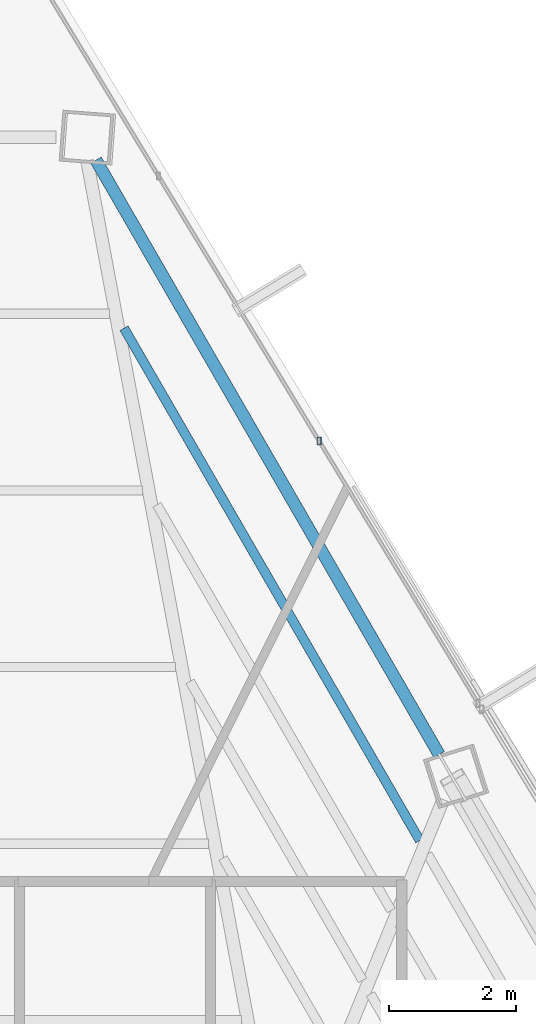
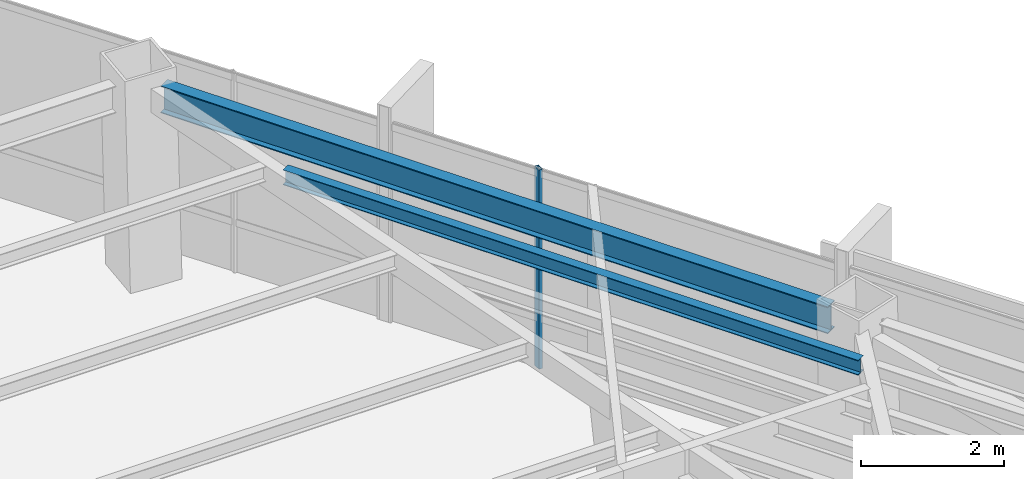
# One storey, part 37 of 47: 2 beams, 1 member, 1 element without a shape of its own.
"""IFC4 building model written with IfcOpenShell, lengths in metres."""

from ifc_helpers import new_model, si_unit, direction, frame, origin, origin_2d, place, context, subcontext, project, spatial, hollow_rectangle, i_section, extrude, source, transform, mapped, material, material_profile, profile_set, type_object, type_shapes, element, aggregate, save


model = new_model("IFC4")

# Units and contexts
model_context = context("Model", 3, precision=1e-05, world=origin(), true_north=direction((0.0, 1.0)))
body_context = subcontext(model_context, "Body", "Model", "MODEL_VIEW")
ifc_project = project(units=[si_unit("LENGTHUNIT", "METRE"), si_unit("AREAUNIT", "SQUARE_METRE"), si_unit("VOLUMEUNIT", "CUBIC_METRE"), si_unit("PLANEANGLEUNIT", "RADIAN"), si_unit("MASSUNIT", "GRAM", prefix="KILO")], contexts=[model_context])

# Site, building, storey
site_placement = place(None, origin())
site = spatial("IfcSite", under=ifc_project, at=site_placement, CompositionType="ELEMENT")
building_placement = place(site_placement, origin())
building = spatial("IfcBuilding", under=site, at=building_placement, Name="Caelisora Broadcast Tower", CompositionType="ELEMENT")
storey_placement = place(building_placement, frame((0.0, 0.0, 229.85009765625)))
storey = spatial("IfcBuildingStorey", under=building, at=storey_placement, Name="L60", CompositionType="ELEMENT", Elevation=229.85009765625)

# Beams
ifc_material_1 = material(Name="Steel Grade 350 (AS/NZS 3679.1)", Category="steel")
ifc_material_profile_1 = material_profile(ifc_material_1, i_section(OverallWidth=0.19091796875, OverallDepth=0.46044921875, WebThickness=0.010009765625, FlangeThickness=0.01611328125, at=origin_2d()), Name="Steel Grade 350 (AS/NZS 3679.1)")
ifc_profile_set_1 = profile_set([ifc_material_profile_1], Name="Steel Grade 350 (AS/NZS 3679.1)")
beam_type_1 = type_object("IfcBeamType", Name="PG06", PredefinedType="BEAM", material=ifc_profile_set_1)
shared_shape_1 = source(origin(), body_context, "Body", "SweptSolid", [
    extrude(i_section(OverallWidth=0.19091796875, OverallDepth=0.46044921875, WebThickness=0.010009765625, FlangeThickness=0.01611328125, at=origin_2d()), origin(), (0.0, 0.0, 1.0), 10.771728515625),
])
type_shapes(beam_type_1, [shared_shape_1])
beam_1_placement = place(storey_placement, frame((47.98681640625, 36.945556640625, 3.169677734375), z_axis=(-0.499990586292, 0.866030838723, 0.0), x_axis=(-0.866030838723, -0.499990586292, 0.0)))
element("IfcBeam", 1, at=beam_1_placement, inside=storey, type_object=beam_type_1, Name="L60 beam PG06", PredefinedType="BEAM", context=body_context, shape_type="MappedRepresentation", body=[
    mapped(shared_shape_1, transform((0.0, 0.0, 0.0), scale=1.0)),
])
ifc_material_profile_2 = material_profile(ifc_material_1, i_section(OverallWidth=0.14599609375, OverallDepth=0.256103515625, WebThickness=0.00634765625, FlangeThickness=0.010986328125, at=origin_2d()), Name="Steel Grade 350 (AS/NZS 3679.1)")
ifc_profile_set_2 = profile_set([ifc_material_profile_2], Name="Steel Grade 350 (AS/NZS 3679.1)")
beam_type_2 = type_object("IfcBeamType", Name="SB04", PredefinedType="JOIST", material=ifc_profile_set_2)
shared_shape_2 = source(origin(), body_context, "Body", "SweptSolid", [
    extrude(i_section(OverallWidth=0.14599609375, OverallDepth=0.256103515625, WebThickness=0.00634765625, FlangeThickness=0.010986328125, at=origin_2d()), origin(), (0.0, 0.0, 1.0), 9.285888671875),
])
type_shapes(beam_type_2, [shared_shape_2])
beam_2_placement = place(storey_placement, frame((47.683837890625, 35.5947265625, 3.271728515625), z_axis=(-0.499981900942, 0.866035853028, 0.0), x_axis=(-0.866035853028, -0.499981900942, 0.0)))
element("IfcBeam", 2, at=beam_2_placement, inside=storey, type_object=beam_type_2, Name="L60 beam SB04", PredefinedType="JOIST", context=body_context, shape_type="MappedRepresentation", body=[
    mapped(shared_shape_2, transform((0.0, 0.0, 0.0), scale=1.0)),
])

# Curtain wall, member
ifc_material_2 = material(Name="Unitised Aluminium and Low-E Glass Curtain Wall", Category="glass")
curtain_wall_type = type_object("IfcCurtainWallType", Name="CW-Z5", PredefinedType="NOTDEFINED", material=ifc_material_2)
curtain_wall_placement = place(storey_placement, origin())
curtain_wall = element("IfcCurtainWall", 3, at=curtain_wall_placement, inside=storey, type_object=curtain_wall_type, Name="L60 curtain wall CW-Z5", PredefinedType="NOTDEFINED")
ifc_material_3 = material(Name="Aluminium 6063-T6 Anodised Terracotta Bronze", Category="aluminium")
ifc_material_profile_3 = material_profile(ifc_material_3, hollow_rectangle(XDim=0.06005859375, YDim=0.1201171875, WallThickness=0.0029296875, at=origin_2d()), Name="Aluminium 6063-T6 Anodised Terracotta Bronze")
ifc_profile_set_3 = profile_set([ifc_material_profile_3], Name="Aluminium 6063-T6 Anodised Terracotta Bronze")
member_type = type_object("IfcMemberType", Name="CWM-04", PredefinedType="MULLION", material=ifc_profile_set_3)
shared_shape_3 = source(origin(), body_context, "Body", "SweptSolid", [
    extrude(hollow_rectangle(XDim=0.06005859375, YDim=0.1201171875, WallThickness=0.0029296875, at=origin_2d()), origin(), (0.0, 0.0, 1.0), 3.39990234375),
])
type_shapes(member_type, [shared_shape_3])
member_placement = place(storey_placement, frame((46.103271484375, 41.8662109375, 0.0), z_axis=(0.0, 0.0, 1.0), x_axis=(1.0, 0.0, 0.0)))
member = element("IfcMember", 4, at=member_placement, type_object=member_type, Name="L60-CW-B01 mullion #2", PredefinedType="MULLION", context=body_context, shape_type="MappedRepresentation", body=[
    mapped(shared_shape_3, transform((0.0, 0.0, 0.0), scale=1.0)),
])
aggregate(curtain_wall, [member])

save(model, "model.ifc")
